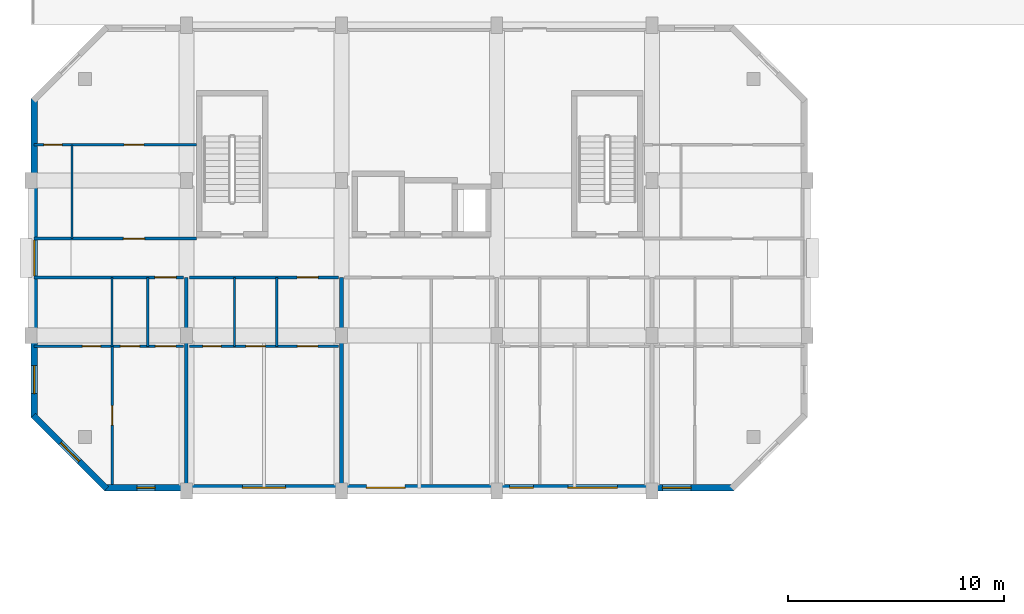
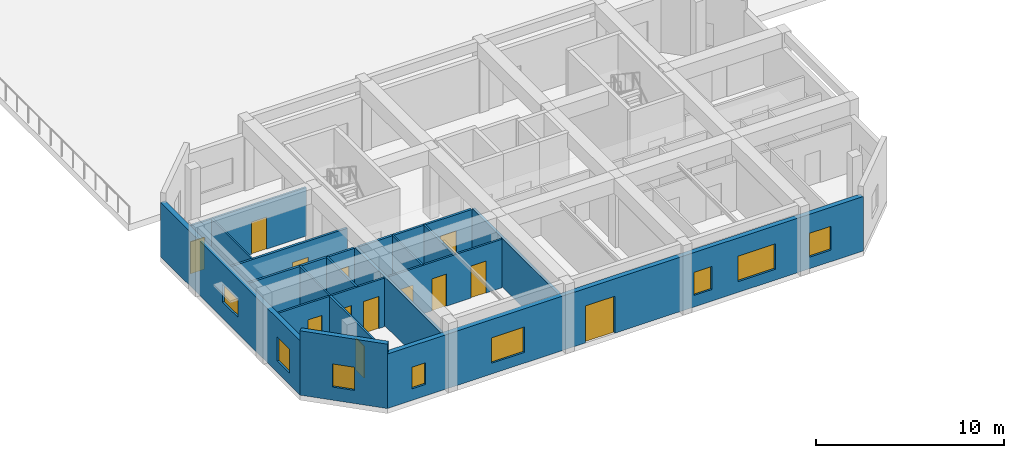
# One storey, part 54 of 85: 17 walls, 13 doors, 8 windows, 21 openings.
"""IFC4 building model written with IfcOpenShell, lengths in metres."""

from ifc_helpers import new_model, si_unit, direction, frame, frame_2d, origin, place, context, subcontext, project, spatial, rectangle, extrude, material, layer, layer_set, type_object, element, fill, save


model = new_model("IFC4")

# Units and contexts
model_context = context("Model", 3, precision=1e-05, world=origin(), true_north=direction((0.0, 1.0)))
body_context = subcontext(model_context, "Body", "Model", "MODEL_VIEW")
ifc_project = project(units=[si_unit("LENGTHUNIT", "METRE"), si_unit("AREAUNIT", "SQUARE_METRE"), si_unit("VOLUMEUNIT", "CUBIC_METRE"), si_unit("PLANEANGLEUNIT", "RADIAN"), si_unit("MASSUNIT", "GRAM", prefix="KILO")], contexts=[model_context])

# Site, building, storey
site_placement = place(None, origin())
site = spatial("IfcSite", under=ifc_project, at=site_placement, CompositionType="ELEMENT")
building_placement = place(site_placement, origin())
building = spatial("IfcBuilding", under=site, at=building_placement, Name="Ochrevale Crest", CompositionType="ELEMENT")
storey_placement = place(building_placement, origin())
storey = spatial("IfcBuildingStorey", under=building, at=storey_placement, Name="L00", CompositionType="ELEMENT", Elevation=0.0)

# Wall, opening, door
ifc_material_1 = material(Name="Gypsum plasterboard", Category="gypsum")
ifc_layer_1 = layer(ifc_material_1, 0.139892578125)
ifc_layer_set_1 = layer_set([ifc_layer_1], Name="Gypsum plasterboard")
wall_type_1 = type_object("IfcWallType", Name="WL-COR-140", PredefinedType="PARTITIONING", material=ifc_layer_set_1)
wall_1_placement = place(storey_placement, frame((0.139892578125, 24.300048828125, 0.0), z_axis=(0.0, 0.0, 1.0), x_axis=(1.0, 0.0, 0.0)))
wall_1 = element("IfcWall", 1, at=wall_1_placement, inside=storey, type_object=wall_type_1, Name="Apartment A-L00-U1 corridor wall", PredefinedType="PARTITIONING", context=body_context, shape_type="SweptSolid", body=[
    extrude(rectangle(XDim=6.920166015625, YDim=0.139892578125, at=frame_2d((3.4599609375, 0.0))), origin(), (0.0, 0.0, 1.0), 3.14990234375),
])
opening_1_placement = place(wall_1_placement, frame((6.5849609375, 0.0, 0.0), z_axis=(0.0, 0.0, 1.0), x_axis=(-1.0, 0.0, 0.0)))
opening_1 = element("IfcOpeningElement", 2, at=opening_1_placement, cuts=wall_1, Name="Opening FD01", PredefinedType="OPENING", context=body_context, shape_type="SweptSolid", body=[
    extrude(rectangle(XDim=0.97998046875, YDim=2.10009765625, at=frame_2d((0.489990234375, 1.050048828125))), frame((0.0, 0.080078125, 0.0), z_axis=(0.0, -1.0, 0.0), x_axis=(1.0, 0.0, 0.0)), (0.0, 0.0, 1.0), 0.159912109375),
])
ifc_material_2 = material(Name="Solid-core FSC hardwood", Category="wood")
door_type_1 = type_object("IfcDoorType", Name="DR-APT-950", OperationType="NOTDEFINED", PredefinedType="DOOR", material=ifc_material_2)
door_1_placement = place(opening_1_placement, origin())
door_1 = element("IfcDoor", 3, at=door_1_placement, inside=storey, type_object=door_type_1, Name="Apartment A-L00-U1 entrance door", OperationType="SINGLE_SWING_RIGHT", OverallHeight=2.10009765625, OverallWidth=0.97998046875, PredefinedType="DOOR", context=body_context, shape_type="SweptSolid", body=[
    extrude(rectangle(XDim=0.97998046875, YDim=2.10009765625, at=frame_2d((0.489990234375, 1.050048828125))), frame((0.0, 0.02490234375, 0.0), z_axis=(0.0, -1.0, 0.0), x_axis=(1.0, 0.0, 0.0)), (0.0, 0.0, 1.0), 0.050048828125),
])
fill(opening_1, door_1)

wall_2_placement = place(storey_placement, frame((7.340087890625, 24.300048828125, 0.0), z_axis=(0.0, 0.0, 1.0), x_axis=(1.0, 0.0, 0.0)))
wall_2 = element("IfcWall", 4, at=wall_2_placement, inside=storey, type_object=wall_type_1, Name="Apartment A-L00-U2 corridor wall", PredefinedType="PARTITIONING", context=body_context, shape_type="SweptSolid", body=[
    extrude(rectangle(XDim=6.919921875, YDim=0.139892578125, at=frame_2d((3.4599609375, 0.0))), origin(), (0.0, 0.0, 1.0), 3.14990234375),
])
opening_2_placement = place(wall_2_placement, frame((4.9951171875, 0.0, 0.0)))
opening_2 = element("IfcOpeningElement", 5, at=opening_2_placement, cuts=wall_2, Name="Opening FD01", PredefinedType="OPENING", context=body_context, shape_type="SweptSolid", body=[
    extrude(rectangle(XDim=0.97998046875, YDim=2.10009765625, at=frame_2d((0.489990234375, 1.050048828125))), frame((0.0, 0.080078125, 0.0), z_axis=(0.0, -1.0, 0.0), x_axis=(1.0, 0.0, 0.0)), (0.0, 0.0, 1.0), 0.159912109375),
])
door_2_placement = place(opening_2_placement, origin())
door_2 = element("IfcDoor", 6, at=door_2_placement, inside=storey, type_object=door_type_1, Name="Apartment A-L00-U2 entrance door", OperationType="SINGLE_SWING_LEFT", OverallHeight=2.10009765625, OverallWidth=0.97998046875, PredefinedType="DOOR", context=body_context, shape_type="SweptSolid", body=[
    extrude(rectangle(XDim=0.97998046875, YDim=2.10009765625, at=frame_2d((0.489990234375, 1.050048828125))), frame((0.0, 0.02490234375, 0.0), z_axis=(0.0, -1.0, 0.0), x_axis=(1.0, 0.0, 0.0)), (0.0, 0.0, 1.0), 0.050048828125),
])
fill(opening_2, door_2)

wall_3_placement = place(storey_placement, frame((0.139892578125, 26.10009765625, 0.0), z_axis=(0.0, 0.0, 1.0), x_axis=(1.0, 0.0, 0.0)))
wall_3 = element("IfcWall", 7, at=wall_3_placement, inside=storey, type_object=wall_type_1, Name="Suite A-L00-CW corridor wall", PredefinedType="PARTITIONING", context=body_context, shape_type="SweptSolid", body=[
    extrude(rectangle(XDim=7.52001953125, YDim=0.139892578125, at=frame_2d((3.760009765625, 0.0))), origin(), (0.0, 0.0, 1.0), 3.14990234375),
])
opening_3_placement = place(wall_3_placement, frame((5.125, 0.0, 0.0), z_axis=(0.0, 0.0, 1.0), x_axis=(-1.0, 0.0, 0.0)))
opening_3 = element("IfcOpeningElement", 8, at=opening_3_placement, cuts=wall_3, Name="Opening FD01", PredefinedType="OPENING", context=body_context, shape_type="SweptSolid", body=[
    extrude(rectangle(XDim=0.97998046875, YDim=2.10009765625, at=frame_2d((0.489990234375, 1.050048828125))), frame((0.0, 0.080078125, 0.0), z_axis=(0.0, -1.0, 0.0), x_axis=(1.0, 0.0, 0.0)), (0.0, 0.0, 1.0), 0.159912109375),
])
door_3_placement = place(opening_3_placement, origin())
door_3 = element("IfcDoor", 9, at=door_3_placement, inside=storey, type_object=door_type_1, Name="Suite A-L00-CW entrance door", OperationType="SINGLE_SWING_RIGHT", OverallHeight=2.10009765625, OverallWidth=0.97998046875, PredefinedType="DOOR", context=body_context, shape_type="SweptSolid", body=[
    extrude(rectangle(XDim=0.97998046875, YDim=2.10009765625, at=frame_2d((0.489990234375, 1.050048828125))), frame((0.0, 0.02490234375, 0.0), z_axis=(0.0, -1.0, 0.0), x_axis=(1.0, 0.0, 0.0)), (0.0, 0.0, 1.0), 0.050048828125),
])
fill(opening_3, door_3)

# Wall, openings, door, windows
ifc_material_3 = material(Name="Clay face brickwork", Category="masonry")
ifc_layer_2 = layer(ifc_material_3, 0.2900390625)
ifc_layer_set_2 = layer_set([ifc_layer_2], Name="Clay face brickwork")
wall_type_2 = type_object("IfcWallType", Name="WL-EXT-BRICK-290", PredefinedType="SOLIDWALL", material=ifc_layer_set_2)
wall_4_placement = place(storey_placement, frame((3.39990234375, 14.544921875, 0.0), z_axis=(0.0, 0.0, 1.0), x_axis=(1.0, 0.0, 0.0)))
wall_4 = element("IfcWall", 10, at=wall_4_placement, inside=storey, type_object=wall_type_2, Name="Block A L00 external facade wall E1", PredefinedType="SOLIDWALL", context=body_context, shape_type="SweptSolid", body=[
    extrude(rectangle(XDim=29.2001953125, YDim=0.2900390625, at=frame_2d((14.60009765625, 0.0))), origin(), (0.0, 0.0, 1.0), 3.530029296875),
])
opening_4_placement = place(wall_4_placement, frame((13.949951171875, 0.0, 0.0), z_axis=(0.0, 0.0, 1.0), x_axis=(-1.0, 0.0, 0.0)))
opening_4 = element("IfcOpeningElement", 11, at=opening_4_placement, cuts=wall_4, Name="Opening ED01", PredefinedType="OPENING", context=body_context, shape_type="SweptSolid", body=[
    extrude(rectangle(XDim=1.800048828125, YDim=2.39990234375, at=frame_2d((0.89990234375, 1.199951171875))), frame((0.0, 0.155029296875, 0.0), z_axis=(0.0, -1.0, 0.0), x_axis=(1.0, 0.0, 0.0)), (0.0, 0.0, 1.0), 0.31005859375),
])
opening_5_placement = place(wall_4_placement, frame((1.50244140625, 0.0, 0.75)))
opening_5 = element("IfcOpeningElement", 12, at=opening_5_placement, cuts=wall_4, Name="Opening W03", PredefinedType="OPENING", context=body_context, shape_type="SweptSolid", body=[
    extrude(rectangle(XDim=0.85009765625, YDim=1.39990234375, at=frame_2d((0.425048828125, 0.699951171875))), frame((0.0, 0.155029296875, 0.0), z_axis=(0.0, -1.0, 0.0), x_axis=(1.0, 0.0, 0.0)), (0.0, 0.0, 1.0), 0.31005859375),
])
opening_6_placement = place(wall_4_placement, frame((6.39990234375, 0.0, 0.699951171875)))
opening_6 = element("IfcOpeningElement", 13, at=opening_6_placement, cuts=wall_4, Name="Opening W12", PredefinedType="OPENING", context=body_context, shape_type="SweptSolid", body=[
    extrude(rectangle(XDim=2.0, YDim=1.64990234375, at=frame_2d((1.0, 0.824951171875))), frame((0.0, 0.155029296875, 0.0), z_axis=(0.0, -1.0, 0.0), x_axis=(1.0, 0.0, 0.0)), (0.0, 0.0, 1.0), 0.31005859375),
])
opening_7_placement = place(wall_4_placement, frame((18.797607421875, 0.0, 0.75)))
opening_7 = element("IfcOpeningElement", 14, at=opening_7_placement, cuts=wall_4, Name="Opening W05", PredefinedType="OPENING", context=body_context, shape_type="SweptSolid", body=[
    extrude(rectangle(XDim=1.10009765625, YDim=1.5, at=frame_2d((0.550048828125, 0.75))), frame((0.0, 0.155029296875, 0.0), z_axis=(0.0, -1.0, 0.0), x_axis=(1.0, 0.0, 0.0)), (0.0, 0.0, 1.0), 0.31005859375),
])
opening_8_placement = place(wall_4_placement, frame((21.492431640625, 0.0, 0.699951171875)))
opening_8 = element("IfcOpeningElement", 15, at=opening_8_placement, cuts=wall_4, Name="Opening W14", PredefinedType="OPENING", context=body_context, shape_type="SweptSolid", body=[
    extrude(rectangle(XDim=2.300048828125, YDim=1.64990234375, at=frame_2d((1.14990234375, 0.824951171875))), frame((0.0, 0.155029296875, 0.0), z_axis=(0.0, -1.0, 0.0), x_axis=(1.0, 0.0, 0.0)), (0.0, 0.0, 1.0), 0.31005859375),
])
opening_9_placement = place(wall_4_placement, frame((25.87744140625, 0.0, 0.75)))
opening_9 = element("IfcOpeningElement", 16, at=opening_9_placement, cuts=wall_4, Name="Opening W07", PredefinedType="OPENING", context=body_context, shape_type="SweptSolid", body=[
    extrude(rectangle(XDim=1.340087890625, YDim=1.550048828125, at=frame_2d((0.669921875, 0.77490234375))), frame((0.0, 0.155029296875, 0.0), z_axis=(0.0, -1.0, 0.0), x_axis=(1.0, 0.0, 0.0)), (0.0, 0.0, 1.0), 0.31005859375),
])
ifc_material_4 = material(Name="Anodised aluminium 6063-T5 and toughened glass", Category="aluminium")
door_type_2 = type_object("IfcDoorType", Name="DR-EXT-1800", OperationType="NOTDEFINED", PredefinedType="DOOR", material=ifc_material_4)
door_4_placement = place(opening_4_placement, origin())
door_4 = element("IfcDoor", 17, at=door_4_placement, inside=storey, type_object=door_type_2, Name="Block A main ground entrance double door", OperationType="DOUBLE_DOOR_SINGLE_SWING", OverallHeight=2.39990234375, OverallWidth=1.800048828125, PredefinedType="DOOR", context=body_context, shape_type="SweptSolid", body=[
    extrude(rectangle(XDim=1.800048828125, YDim=2.39990234375, at=frame_2d((0.89990234375, 1.199951171875))), frame((0.0, 0.02490234375, 0.0), z_axis=(0.0, -1.0, 0.0), x_axis=(1.0, 0.0, 0.0)), (0.0, 0.0, 1.0), 0.050048828125),
])
fill(opening_4, door_4)
ifc_material_5 = material(Name="Anodised aluminium 6063-T5 and low-E double glazing", Category="aluminium")
window_type_1 = type_object("IfcWindowType", Name="WIN-W03", PartitioningType="SINGLE_PANEL", PredefinedType="WINDOW", material=ifc_material_5)
window_1_placement = place(opening_5_placement, origin())
window_1 = element("IfcWindow", 18, at=window_1_placement, inside=storey, type_object=window_type_1, Name="Block A L00 Apartment A-L00-U1 One Bedroom Living Room window", OverallHeight=1.39990234375, OverallWidth=0.85009765625, PartitioningType="SINGLE_PANEL", PredefinedType="WINDOW", context=body_context, shape_type="SweptSolid", body=[
    extrude(rectangle(XDim=0.85009765625, YDim=1.39990234375, at=frame_2d((0.425048828125, 0.699951171875))), frame((0.0, 0.030029296875, 0.0), z_axis=(0.0, -1.0, 0.0), x_axis=(1.0, 0.0, 0.0)), (0.0, 0.0, 1.0), 0.06005859375),
])
fill(opening_5, window_1)
window_type_2 = type_object("IfcWindowType", Name="WIN-W05", PartitioningType="SINGLE_PANEL", PredefinedType="WINDOW", material=ifc_material_5)
window_2_placement = place(opening_7_placement, origin())
window_2 = element("IfcWindow", 19, at=window_2_placement, inside=storey, type_object=window_type_2, Name="Block A L00 Apartment A-L00-U4 Double Bedroom window", OverallHeight=1.5, OverallWidth=1.10009765625, PartitioningType="SINGLE_PANEL", PredefinedType="WINDOW", context=body_context, shape_type="SweptSolid", body=[
    extrude(rectangle(XDim=1.10009765625, YDim=1.5, at=frame_2d((0.550048828125, 0.75))), frame((0.0, 0.030029296875, 0.0), z_axis=(0.0, -1.0, 0.0), x_axis=(1.0, 0.0, 0.0)), (0.0, 0.0, 1.0), 0.06005859375),
])
fill(opening_7, window_2)
window_type_3 = type_object("IfcWindowType", Name="WIN-W07", PartitioningType="SINGLE_PANEL", PredefinedType="WINDOW", material=ifc_material_5)
window_3_placement = place(opening_9_placement, origin())
window_3 = element("IfcWindow", 20, at=window_3_placement, inside=storey, type_object=window_type_3, Name="Block A L00 Apartment A-L00-U5 Master Bedroom window", OverallHeight=1.550048828125, OverallWidth=1.340087890625, PartitioningType="SINGLE_PANEL", PredefinedType="WINDOW", context=body_context, shape_type="SweptSolid", body=[
    extrude(rectangle(XDim=1.340087890625, YDim=1.550048828125, at=frame_2d((0.669921875, 0.77490234375))), frame((0.0, 0.030029296875, 0.0), z_axis=(0.0, -1.0, 0.0), x_axis=(1.0, 0.0, 0.0)), (0.0, 0.0, 1.0), 0.06005859375),
])
fill(opening_9, window_3)
window_type_4 = type_object("IfcWindowType", Name="WIN-W12", PartitioningType="SINGLE_PANEL", PredefinedType="WINDOW", material=ifc_material_5)
window_4_placement = place(opening_6_placement, origin())
window_4 = element("IfcWindow", 21, at=window_4_placement, inside=storey, type_object=window_type_4, Name="Block A L00 Studio A-L00-U2 Living Room window", OverallHeight=1.64990234375, OverallWidth=2.0, PartitioningType="SINGLE_PANEL", PredefinedType="WINDOW", context=body_context, shape_type="SweptSolid", body=[
    extrude(rectangle(XDim=2.0, YDim=1.64990234375, at=frame_2d((1.0, 0.824951171875))), frame((0.0, 0.030029296875, 0.0), z_axis=(0.0, -1.0, 0.0), x_axis=(1.0, 0.0, 0.0)), (0.0, 0.0, 1.0), 0.06005859375),
])
fill(opening_6, window_4)
window_type_5 = type_object("IfcWindowType", Name="WIN-W14", PartitioningType="SINGLE_PANEL", PredefinedType="WINDOW", material=ifc_material_5)
window_5_placement = place(opening_8_placement, origin())
window_5 = element("IfcWindow", 22, at=window_5_placement, inside=storey, type_object=window_type_5, Name="Block A L00 Apartment A-L00-U4 Two Bedroom Living Room window", OverallHeight=1.64990234375, OverallWidth=2.300048828125, PartitioningType="SINGLE_PANEL", PredefinedType="WINDOW", context=body_context, shape_type="SweptSolid", body=[
    extrude(rectangle(XDim=2.300048828125, YDim=1.64990234375, at=frame_2d((1.14990234375, 0.824951171875))), frame((0.0, 0.030029296875, 0.0), z_axis=(0.0, -1.0, 0.0), x_axis=(1.0, 0.0, 0.0)), (0.0, 0.0, 1.0), 0.06005859375),
])
fill(opening_8, window_5)

# Wall, openings, windows
wall_5_placement = place(storey_placement, frame((0.14501953125, 32.60009765625, 0.0), z_axis=(0.0, 0.0, 1.0), x_axis=(0.0, -1.0, 0.0)))
wall_5 = element("IfcWall", 23, at=wall_5_placement, inside=storey, type_object=wall_type_2, Name="Block A L00 external facade wall E7", PredefinedType="SOLIDWALL", context=body_context, shape_type="SweptSolid", body=[
    extrude(rectangle(XDim=14.800048828125, YDim=0.2900390625, at=frame_2d((7.39990234375, 0.0))), origin(), (0.0, 0.0, 1.0), 3.530029296875),
])
opening_10_placement = place(wall_5_placement, frame((6.574951171875, 0.0, 1.050048828125)))
opening_10 = element("IfcOpeningElement", 24, at=opening_10_placement, cuts=wall_5, Name="Opening W19", PredefinedType="OPENING", context=body_context, shape_type="SweptSolid", body=[
    extrude(rectangle(XDim=1.64990234375, YDim=1.14990234375, at=frame_2d((0.824951171875, 0.574951171875))), frame((0.0, 0.155029296875, 0.0), z_axis=(0.0, -1.0, 0.0), x_axis=(1.0, 0.0, 0.0)), (0.0, 0.0, 1.0), 0.31005859375),
])
opening_11_placement = place(wall_5_placement, frame((12.385009765625, 0.0, 0.75)))
opening_11 = element("IfcOpeningElement", 25, at=opening_11_placement, cuts=wall_5, Name="Opening W30", PredefinedType="OPENING", context=body_context, shape_type="SweptSolid", body=[
    extrude(rectangle(XDim=1.300048828125, YDim=1.550048828125, at=frame_2d((0.64990234375, 0.77490234375))), frame((0.0, 0.155029296875, 0.0), z_axis=(0.0, -1.0, 0.0), x_axis=(1.0, 0.0, 0.0)), (0.0, 0.0, 1.0), 0.31005859375),
])
window_type_6 = type_object("IfcWindowType", Name="WIN-W19", PartitioningType="SINGLE_PANEL", PredefinedType="WINDOW", material=ifc_material_5)
window_6_placement = place(opening_10_placement, origin())
window_6 = element("IfcWindow", 26, at=window_6_placement, inside=storey, type_object=window_type_6, Name="Block A L00 corridor end daylight window W", OverallHeight=1.14990234375, OverallWidth=1.64990234375, PartitioningType="SINGLE_PANEL", PredefinedType="WINDOW", context=body_context, shape_type="SweptSolid", body=[
    extrude(rectangle(XDim=1.64990234375, YDim=1.14990234375, at=frame_2d((0.824951171875, 0.574951171875))), frame((0.0, 0.030029296875, 0.0), z_axis=(0.0, -1.0, 0.0), x_axis=(1.0, 0.0, 0.0)), (0.0, 0.0, 1.0), 0.06005859375),
])
fill(opening_10, window_6)
window_type_7 = type_object("IfcWindowType", Name="WIN-W30", PartitioningType="SINGLE_PANEL", PredefinedType="WINDOW", material=ifc_material_5)
window_7_placement = place(opening_11_placement, origin())
window_7 = element("IfcWindow", 27, at=window_7_placement, inside=storey, type_object=window_type_7, Name="Block A L00 side suite window W", OverallHeight=1.550048828125, OverallWidth=1.300048828125, PartitioningType="SINGLE_PANEL", PredefinedType="WINDOW", context=body_context, shape_type="SweptSolid", body=[
    extrude(rectangle(XDim=1.300048828125, YDim=1.550048828125, at=frame_2d((0.64990234375, 0.77490234375))), frame((0.0, 0.030029296875, 0.0), z_axis=(0.0, -1.0, 0.0), x_axis=(1.0, 0.0, 0.0)), (0.0, 0.0, 1.0), 0.06005859375),
])
fill(opening_11, window_7)

# Wall, opening, window
wall_6_placement = place(storey_placement, frame((0.1025390625, 17.902587890625, 0.0), z_axis=(0.0, 0.0, 1.0), x_axis=(0.707081393635, -0.707132167827, 0.0)))
wall_6 = element("IfcWall", 28, at=wall_6_placement, inside=storey, type_object=wall_type_2, Name="Block A L00 external facade wall E8", PredefinedType="SOLIDWALL", context=body_context, shape_type="SweptSolid", body=[
    extrude(rectangle(XDim=4.808349609375, YDim=0.2900390625, at=frame_2d((2.404296875, 0.0))), origin(), (0.0, 0.0, 1.0), 4.175048828125),
])
opening_12_placement = place(wall_6_placement, frame((1.794189453125, 0.0, 0.85009765625)))
opening_12 = element("IfcOpeningElement", 29, at=opening_12_placement, cuts=wall_6, Name="Opening W06", PredefinedType="OPENING", context=body_context, shape_type="SweptSolid", body=[
    extrude(rectangle(XDim=1.219970703125, YDim=1.5, at=frame_2d((0.60986328125, 0.75))), frame((0.0, 0.155029296875, 0.0), z_axis=(0.0, -1.0, 0.0), x_axis=(1.0, 0.0, 0.0)), (0.0, 0.0, 1.0), 0.31005859375),
])
window_type_8 = type_object("IfcWindowType", Name="WIN-W06", PartitioningType="SINGLE_PANEL", PredefinedType="WINDOW", material=ifc_material_5)
window_8_placement = place(opening_12_placement, origin())
window_8 = element("IfcWindow", 30, at=window_8_placement, inside=storey, type_object=window_type_8, Name="Block A L00 corner room casement window 8", OverallHeight=1.5, OverallWidth=1.219970703125, PartitioningType="SINGLE_PANEL", PredefinedType="WINDOW", context=body_context, shape_type="SweptSolid", body=[
    extrude(rectangle(XDim=1.219970703125, YDim=1.5, at=frame_2d((0.60986328125, 0.75))), frame((0.0, 0.030029296875, 0.0), z_axis=(0.0, -1.0, 0.0), x_axis=(1.0, 0.0, 0.0)), (0.0, 0.0, 1.0), 0.06005859375),
])
fill(opening_12, window_8)

# Wall
ifc_layer_3 = layer(ifc_material_1, 0.1201171875)
ifc_layer_set_3 = layer_set([ifc_layer_3], Name="Gypsum plasterboard")
wall_type_3 = type_object("IfcWallType", Name="WL-PART-120", PredefinedType="PARTITIONING", material=ifc_layer_set_3)
wall_7_placement = place(storey_placement, frame((5.409912109375, 21.10009765625, 0.0), z_axis=(0.0, 0.0, 1.0), x_axis=(0.0, 1.0, 0.0)))
element("IfcWall", 31, at=wall_7_placement, inside=storey, type_object=wall_type_3, Name="Apartment A-L00-U1 kitchen-foyer wall", PredefinedType="PARTITIONING", context=body_context, shape_type="SweptSolid", body=[
    extrude(rectangle(XDim=3.199951171875, YDim=0.1201171875, at=frame_2d((1.60009765625, 0.0))), origin(), (0.0, 0.0, 1.0), 3.14990234375),
])

# Wall, openings, doors
wall_8_placement = place(storey_placement, frame((0.139892578125, 21.10009765625, 0.0), z_axis=(0.0, 0.0, 1.0), x_axis=(1.0, 0.0, 0.0)))
wall_8 = element("IfcWall", 32, at=wall_8_placement, inside=storey, type_object=wall_type_3, Name="Apartment A-L00-U1 central partition", PredefinedType="PARTITIONING", context=body_context, shape_type="SweptSolid", body=[
    extrude(rectangle(XDim=6.920166015625, YDim=0.1201171875, at=frame_2d((3.4599609375, 0.0))), origin(), (0.0, 0.0, 1.0), 3.14990234375),
])
opening_13_placement = place(wall_8_placement, frame((2.239990234375, 0.0, 0.0)))
opening_13 = element("IfcOpeningElement", 33, at=opening_13_placement, cuts=wall_8, Name="Opening ID01", PredefinedType="OPENING", context=body_context, shape_type="SweptSolid", body=[
    extrude(rectangle(XDim=0.85009765625, YDim=2.080078125, at=frame_2d((0.425048828125, 1.0400390625))), frame((0.0, 0.070068359375, 0.0), z_axis=(0.0, -1.0, 0.0), x_axis=(1.0, 0.0, 0.0)), (0.0, 0.0, 1.0), 0.14013671875),
])
opening_14_placement = place(wall_8_placement, frame((4.89501953125, 0.0, 0.0), z_axis=(0.0, 0.0, 1.0), x_axis=(-1.0, 0.0, 0.0)))
opening_14 = element("IfcOpeningElement", 34, at=opening_14_placement, cuts=wall_8, Name="Opening ID02", PredefinedType="OPENING", context=body_context, shape_type="SweptSolid", body=[
    extrude(rectangle(XDim=0.89990234375, YDim=2.080078125, at=frame_2d((0.449951171875, 1.0400390625))), frame((0.0, 0.070068359375, 0.0), z_axis=(0.0, -1.0, 0.0), x_axis=(1.0, 0.0, 0.0)), (0.0, 0.0, 1.0), 0.14013671875),
])
opening_15_placement = place(wall_8_placement, frame((5.6201171875, 0.0, 0.0)))
opening_15 = element("IfcOpeningElement", 35, at=opening_15_placement, cuts=wall_8, Name="Opening ID06", PredefinedType="OPENING", context=body_context, shape_type="SweptSolid", body=[
    extrude(rectangle(XDim=0.949951171875, YDim=2.080078125, at=frame_2d((0.47509765625, 1.0400390625))), frame((0.0, 0.070068359375, 0.0), z_axis=(0.0, -1.0, 0.0), x_axis=(1.0, 0.0, 0.0)), (0.0, 0.0, 1.0), 0.14013671875),
])
door_type_3 = type_object("IfcDoorType", Name="DR-INT-900", OperationType="NOTDEFINED", PredefinedType="DOOR", material=ifc_material_2)
door_5_placement = place(opening_14_placement, origin())
door_5 = element("IfcDoor", 36, at=door_5_placement, inside=storey, type_object=door_type_3, Name="Apartment A-L00-U1 Kitchen door", OperationType="SINGLE_SWING_RIGHT", OverallHeight=2.080078125, OverallWidth=0.89990234375, PredefinedType="DOOR", context=body_context, shape_type="SweptSolid", body=[
    extrude(rectangle(XDim=0.89990234375, YDim=2.080078125, at=frame_2d((0.449951171875, 1.0400390625))), frame((0.0, 0.02490234375, 0.0), z_axis=(0.0, -1.0, 0.0), x_axis=(1.0, 0.0, 0.0)), (0.0, 0.0, 1.0), 0.050048828125),
])
fill(opening_14, door_5)
door_type_4 = type_object("IfcDoorType", Name="DR-INT-950", OperationType="NOTDEFINED", PredefinedType="DOOR", material=ifc_material_2)
door_6_placement = place(opening_15_placement, origin())
door_6 = element("IfcDoor", 37, at=door_6_placement, inside=storey, type_object=door_type_4, Name="Apartment A-L00-U1 Living Foyer door", OperationType="SINGLE_SWING_LEFT", OverallHeight=2.080078125, OverallWidth=0.949951171875, PredefinedType="DOOR", context=body_context, shape_type="SweptSolid", body=[
    extrude(rectangle(XDim=0.949951171875, YDim=2.080078125, at=frame_2d((0.47509765625, 1.0400390625))), frame((0.0, 0.02490234375, 0.0), z_axis=(0.0, -1.0, 0.0), x_axis=(1.0, 0.0, 0.0)), (0.0, 0.0, 1.0), 0.050048828125),
])
fill(opening_15, door_6)
door_type_5 = type_object("IfcDoorType", Name="DR-WC-850", OperationType="NOTDEFINED", PredefinedType="DOOR", material=ifc_material_2)
door_7_placement = place(opening_13_placement, origin())
door_7 = element("IfcDoor", 38, at=door_7_placement, inside=storey, type_object=door_type_5, Name="Apartment A-L00-U1 Bathroom door", OperationType="SINGLE_SWING_LEFT", OverallHeight=2.080078125, OverallWidth=0.85009765625, PredefinedType="DOOR", context=body_context, shape_type="SweptSolid", body=[
    extrude(rectangle(XDim=0.85009765625, YDim=2.080078125, at=frame_2d((0.425048828125, 1.0400390625))), frame((0.0, 0.02490234375, 0.0), z_axis=(0.0, -1.0, 0.0), x_axis=(1.0, 0.0, 0.0)), (0.0, 0.0, 1.0), 0.050048828125),
])
fill(opening_13, door_7)

# Wall, opening, door
wall_9_placement = place(storey_placement, frame((3.760009765625, 14.699951171875, 0.0), z_axis=(0.0, 0.0, 1.0), x_axis=(0.0, 1.0, 0.0)))
wall_9 = element("IfcWall", 39, at=wall_9_placement, inside=storey, type_object=wall_type_3, Name="Apartment A-L00-U1 bedroom partition", PredefinedType="PARTITIONING", context=body_context, shape_type="SweptSolid", body=[
    extrude(rectangle(XDim=6.400146484375, YDim=0.1201171875, at=frame_2d((3.2001953125, 0.0))), origin(), (0.0, 0.0, 1.0), 3.14990234375),
])
opening_16_placement = place(wall_9_placement, frame((3.64990234375, 0.0, 0.0), z_axis=(0.0, 0.0, 1.0), x_axis=(-1.0, 0.0, 0.0)))
opening_16 = element("IfcOpeningElement", 40, at=opening_16_placement, cuts=wall_9, Name="Opening ID02", PredefinedType="OPENING", context=body_context, shape_type="SweptSolid", body=[
    extrude(rectangle(XDim=0.89990234375, YDim=2.080078125, at=frame_2d((0.449951171875, 1.0400390625))), frame((0.0, 0.070068359375, 0.0), z_axis=(0.0, -1.0, 0.0), x_axis=(1.0, 0.0, 0.0)), (0.0, 0.0, 1.0), 0.14013671875),
])
door_8_placement = place(opening_16_placement, origin())
door_8 = element("IfcDoor", 41, at=door_8_placement, inside=storey, type_object=door_type_3, Name="Apartment A-L00-U1 Master Bedroom door", OperationType="SINGLE_SWING_RIGHT", OverallHeight=2.080078125, OverallWidth=0.89990234375, PredefinedType="DOOR", context=body_context, shape_type="SweptSolid", body=[
    extrude(rectangle(XDim=0.89990234375, YDim=2.080078125, at=frame_2d((0.449951171875, 1.0400390625))), frame((0.0, 0.02490234375, 0.0), z_axis=(0.0, -1.0, 0.0), x_axis=(1.0, 0.0, 0.0)), (0.0, 0.0, 1.0), 0.050048828125),
])
fill(opening_16, door_8)

# Wall
wall_10_placement = place(storey_placement, frame((11.389892578125, 21.10009765625, 0.0), z_axis=(0.0, 0.0, 1.0), x_axis=(0.0, 1.0, 0.0)))
element("IfcWall", 42, at=wall_10_placement, inside=storey, type_object=wall_type_3, Name="Apartment A-L00-U2 kitchen-foyer wall", PredefinedType="PARTITIONING", context=body_context, shape_type="SweptSolid", body=[
    extrude(rectangle(XDim=3.199951171875, YDim=0.1201171875, at=frame_2d((1.60009765625, 0.0))), origin(), (0.0, 0.0, 1.0), 3.14990234375),
])

# Wall, openings, doors
wall_11_placement = place(storey_placement, frame((7.340087890625, 21.10009765625, 0.0), z_axis=(0.0, 0.0, 1.0), x_axis=(1.0, 0.0, 0.0)))
wall_11 = element("IfcWall", 43, at=wall_11_placement, inside=storey, type_object=wall_type_3, Name="Apartment A-L00-U2 central partition", PredefinedType="PARTITIONING", context=body_context, shape_type="SweptSolid", body=[
    extrude(rectangle(XDim=6.919921875, YDim=0.1201171875, at=frame_2d((3.4599609375, 0.0))), origin(), (0.0, 0.0, 1.0), 3.14990234375),
])
opening_17_placement = place(wall_11_placement, frame((1.47509765625, 0.0, 0.0), z_axis=(0.0, 0.0, 1.0), x_axis=(-1.0, 0.0, 0.0)))
opening_17 = element("IfcOpeningElement", 44, at=opening_17_placement, cuts=wall_11, Name="Opening ID01", PredefinedType="OPENING", context=body_context, shape_type="SweptSolid", body=[
    extrude(rectangle(XDim=0.85009765625, YDim=2.080078125, at=frame_2d((0.425048828125, 1.0400390625))), frame((0.0, 0.070068359375, 0.0), z_axis=(0.0, -1.0, 0.0), x_axis=(1.0, 0.0, 0.0)), (0.0, 0.0, 1.0), 0.14013671875),
])
opening_18_placement = place(wall_11_placement, frame((2.625, 0.0, 0.0)))
opening_18 = element("IfcOpeningElement", 45, at=opening_18_placement, cuts=wall_11, Name="Opening ID02", PredefinedType="OPENING", context=body_context, shape_type="SweptSolid", body=[
    extrude(rectangle(XDim=0.89990234375, YDim=2.080078125, at=frame_2d((0.449951171875, 1.0400390625))), frame((0.0, 0.070068359375, 0.0), z_axis=(0.0, -1.0, 0.0), x_axis=(1.0, 0.0, 0.0)), (0.0, 0.0, 1.0), 0.14013671875),
])
opening_19_placement = place(wall_11_placement, frame((5.9599609375, 0.0, 0.0), z_axis=(0.0, 0.0, 1.0), x_axis=(-1.0, 0.0, 0.0)))
opening_19 = element("IfcOpeningElement", 46, at=opening_19_placement, cuts=wall_11, Name="Opening ID06", PredefinedType="OPENING", context=body_context, shape_type="SweptSolid", body=[
    extrude(rectangle(XDim=0.949951171875, YDim=2.080078125, at=frame_2d((0.47509765625, 1.0400390625))), frame((0.0, 0.070068359375, 0.0), z_axis=(0.0, -1.0, 0.0), x_axis=(1.0, 0.0, 0.0)), (0.0, 0.0, 1.0), 0.14013671875),
])
door_9_placement = place(opening_18_placement, origin())
door_9 = element("IfcDoor", 47, at=door_9_placement, inside=storey, type_object=door_type_3, Name="Apartment A-L00-U2 Kitchen door", OperationType="SINGLE_SWING_LEFT", OverallHeight=2.080078125, OverallWidth=0.89990234375, PredefinedType="DOOR", context=body_context, shape_type="SweptSolid", body=[
    extrude(rectangle(XDim=0.89990234375, YDim=2.080078125, at=frame_2d((0.449951171875, 1.0400390625))), frame((0.0, 0.02490234375, 0.0), z_axis=(0.0, -1.0, 0.0), x_axis=(1.0, 0.0, 0.0)), (0.0, 0.0, 1.0), 0.050048828125),
])
fill(opening_18, door_9)
door_10_placement = place(opening_19_placement, origin())
door_10 = element("IfcDoor", 48, at=door_10_placement, inside=storey, type_object=door_type_4, Name="Apartment A-L00-U2 Living Foyer door", OperationType="SINGLE_SWING_RIGHT", OverallHeight=2.080078125, OverallWidth=0.949951171875, PredefinedType="DOOR", context=body_context, shape_type="SweptSolid", body=[
    extrude(rectangle(XDim=0.949951171875, YDim=2.080078125, at=frame_2d((0.47509765625, 1.0400390625))), frame((0.0, 0.02490234375, 0.0), z_axis=(0.0, -1.0, 0.0), x_axis=(1.0, 0.0, 0.0)), (0.0, 0.0, 1.0), 0.050048828125),
])
fill(opening_19, door_10)
door_11_placement = place(opening_17_placement, origin())
door_11 = element("IfcDoor", 49, at=door_11_placement, inside=storey, type_object=door_type_5, Name="Apartment A-L00-U2 Bathroom door", OperationType="SINGLE_SWING_RIGHT", OverallHeight=2.080078125, OverallWidth=0.85009765625, PredefinedType="DOOR", context=body_context, shape_type="SweptSolid", body=[
    extrude(rectangle(XDim=0.85009765625, YDim=2.080078125, at=frame_2d((0.425048828125, 1.0400390625))), frame((0.0, 0.02490234375, 0.0), z_axis=(0.0, -1.0, 0.0), x_axis=(1.0, 0.0, 0.0)), (0.0, 0.0, 1.0), 0.050048828125),
])
fill(opening_17, door_11)

wall_12_placement = place(storey_placement, frame((0.139892578125, 30.449951171875, 0.0), z_axis=(0.0, 0.0, 1.0), x_axis=(1.0, 0.0, 0.0)))
wall_12 = element("IfcWall", 50, at=wall_12_placement, inside=storey, type_object=wall_type_3, Name="Suite A-L00-CW internal wall", PredefinedType="PARTITIONING", context=body_context, shape_type="SweptSolid", body=[
    extrude(rectangle(XDim=7.52001953125, YDim=0.1201171875, at=frame_2d((3.760009765625, 0.0))), origin(), (0.0, 0.0, 1.0), 3.14990234375),
])
opening_20_placement = place(wall_12_placement, frame((0.449951171875, 0.0, 0.0)))
opening_20 = element("IfcOpeningElement", 51, at=opening_20_placement, cuts=wall_12, Name="Opening ID01", PredefinedType="OPENING", context=body_context, shape_type="SweptSolid", body=[
    extrude(rectangle(XDim=0.85009765625, YDim=2.080078125, at=frame_2d((0.425048828125, 1.0400390625))), frame((0.0, 0.070068359375, 0.0), z_axis=(0.0, -1.0, 0.0), x_axis=(1.0, 0.0, 0.0)), (0.0, 0.0, 1.0), 0.14013671875),
])
opening_21_placement = place(wall_12_placement, frame((5.094970703125, 0.0, 0.0), z_axis=(0.0, 0.0, 1.0), x_axis=(-1.0, 0.0, 0.0)))
opening_21 = element("IfcOpeningElement", 52, at=opening_21_placement, cuts=wall_12, Name="Opening ID04", PredefinedType="OPENING", context=body_context, shape_type="SweptSolid", body=[
    extrude(rectangle(XDim=0.919921875, YDim=2.080078125, at=frame_2d((0.4599609375, 1.0400390625))), frame((0.0, 0.070068359375, 0.0), z_axis=(0.0, -1.0, 0.0), x_axis=(1.0, 0.0, 0.0)), (0.0, 0.0, 1.0), 0.14013671875),
])
door_type_6 = type_object("IfcDoorType", Name="DR-INT-920", OperationType="NOTDEFINED", PredefinedType="DOOR", material=ifc_material_2)
door_12_placement = place(opening_21_placement, origin())
door_12 = element("IfcDoor", 53, at=door_12_placement, inside=storey, type_object=door_type_6, Name="Suite A-L00-CW Garden Alcove Studio door", OperationType="SINGLE_SWING_RIGHT", OverallHeight=2.080078125, OverallWidth=0.919921875, PredefinedType="DOOR", context=body_context, shape_type="SweptSolid", body=[
    extrude(rectangle(XDim=0.919921875, YDim=2.080078125, at=frame_2d((0.4599609375, 1.0400390625))), frame((0.0, 0.02490234375, 0.0), z_axis=(0.0, -1.0, 0.0), x_axis=(1.0, 0.0, 0.0)), (0.0, 0.0, 1.0), 0.050048828125),
])
fill(opening_21, door_12)
door_13_placement = place(opening_20_placement, origin())
door_13 = element("IfcDoor", 54, at=door_13_placement, inside=storey, type_object=door_type_5, Name="Suite A-L00-CW Bathroom door", OperationType="SINGLE_SWING_LEFT", OverallHeight=2.080078125, OverallWidth=0.85009765625, PredefinedType="DOOR", context=body_context, shape_type="SweptSolid", body=[
    extrude(rectangle(XDim=0.85009765625, YDim=2.080078125, at=frame_2d((0.425048828125, 1.0400390625))), frame((0.0, 0.02490234375, 0.0), z_axis=(0.0, -1.0, 0.0), x_axis=(1.0, 0.0, 0.0)), (0.0, 0.0, 1.0), 0.050048828125),
])
fill(opening_20, door_13)

# Walls
ifc_layer_4 = layer(ifc_material_1, 0.169921875)
ifc_layer_set_4 = layer_set([ifc_layer_4], Name="Gypsum plasterboard")
wall_type_4 = type_object("IfcWallType", Name="WL-TEN-170", PredefinedType="PARTITIONING", material=ifc_layer_set_4)
for number, where, z_axis, x_axis, name in (
    (55, (7.199951171875, 14.699951171875, 0.0), (0.0, 0.0, 1.0), (0.0, 1.0, 0.0), "Block A L00 inter-tenancy wall 1"),
    (56, (14.39990234375, 14.699951171875, 0.0), (0.0, 0.0, 1.0), (0.0, 1.0, 0.0), "Block A L00 inter-tenancy wall 2"),
):
    element("IfcWall", number, at=place(storey_placement, frame(where, z_axis=z_axis, x_axis=x_axis)), inside=storey, type_object=wall_type_4, Name=name, PredefinedType="PARTITIONING", context=body_context, shape_type="SweptSolid", body=[
        extrude(rectangle(XDim=9.60009765625, YDim=0.169921875, at=frame_2d((4.800048828125, 0.0))), origin(), (0.0, 0.0, 1.0), 3.14990234375),
    ])
ifc_layer_5 = layer(ifc_material_1, 0.10009765625)
ifc_layer_set_5 = layer_set([ifc_layer_5], Name="Gypsum plasterboard")
wall_type_5 = type_object("IfcWallType", Name="WL-WET-100", PredefinedType="PARTITIONING", material=ifc_layer_set_5)
for number, where, z_axis, x_axis, name in (
    (57, (3.760009765625, 21.10009765625, 0.0), (0.0, 0.0, 1.0), (0.0, 1.0, 0.0), "Apartment A-L00-U1 bath-kitchen wall"),
    (58, (9.43994140625, 21.10009765625, 0.0), (0.0, 0.0, 1.0), (0.0, 1.0, 0.0), "Apartment A-L00-U2 bath-kitchen wall"),
):
    element("IfcWall", number, at=place(storey_placement, frame(where, z_axis=z_axis, x_axis=x_axis)), inside=storey, type_object=wall_type_5, Name=name, PredefinedType="PARTITIONING", context=body_context, shape_type="SweptSolid", body=[
        extrude(rectangle(XDim=3.199951171875, YDim=0.10009765625, at=frame_2d((1.60009765625, 0.0))), origin(), (0.0, 0.0, 1.0), 3.14990234375),
    ])
wall_13_placement = place(storey_placement, frame((1.889892578125, 26.10009765625, 0.0), z_axis=(0.0, 0.0, 1.0), x_axis=(0.0, 1.0, 0.0)))
element("IfcWall", 59, at=wall_13_placement, inside=storey, type_object=wall_type_5, Name="Suite A-L00-CW bathroom divider", PredefinedType="PARTITIONING", context=body_context, shape_type="SweptSolid", body=[
    extrude(rectangle(XDim=4.349853515625, YDim=0.10009765625, at=frame_2d((2.1748046875, 0.0))), origin(), (0.0, 0.0, 1.0), 3.14990234375),
])

save(model, "model.ifc")
